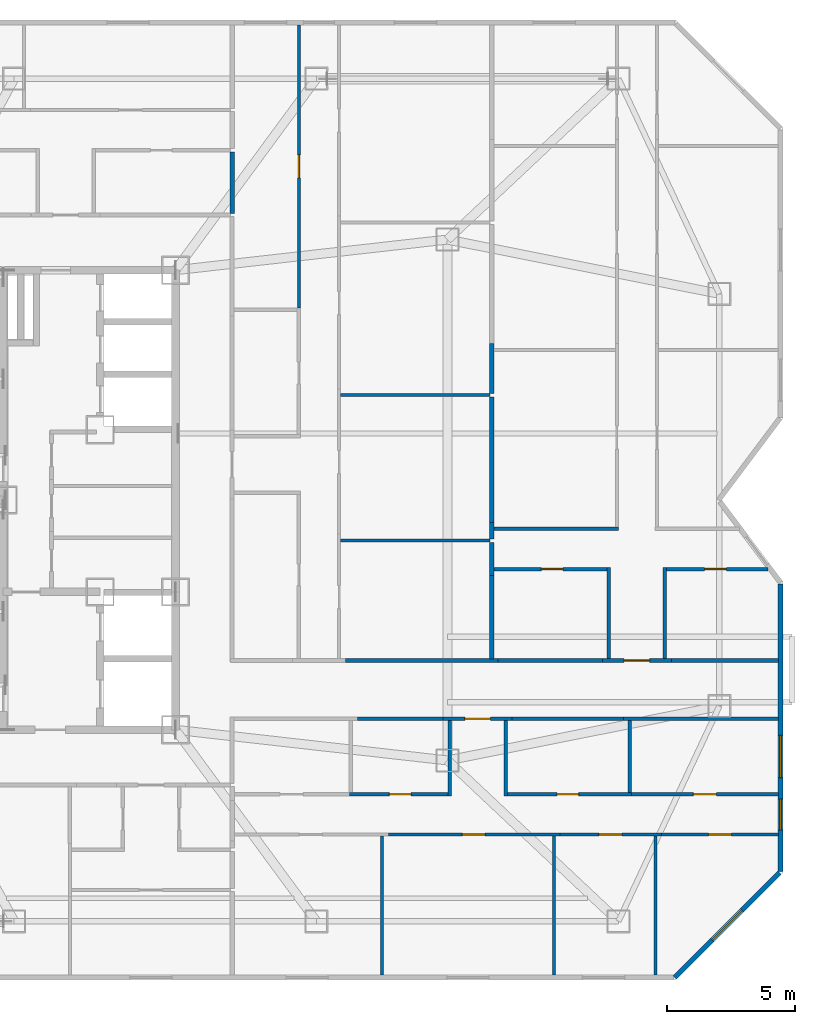
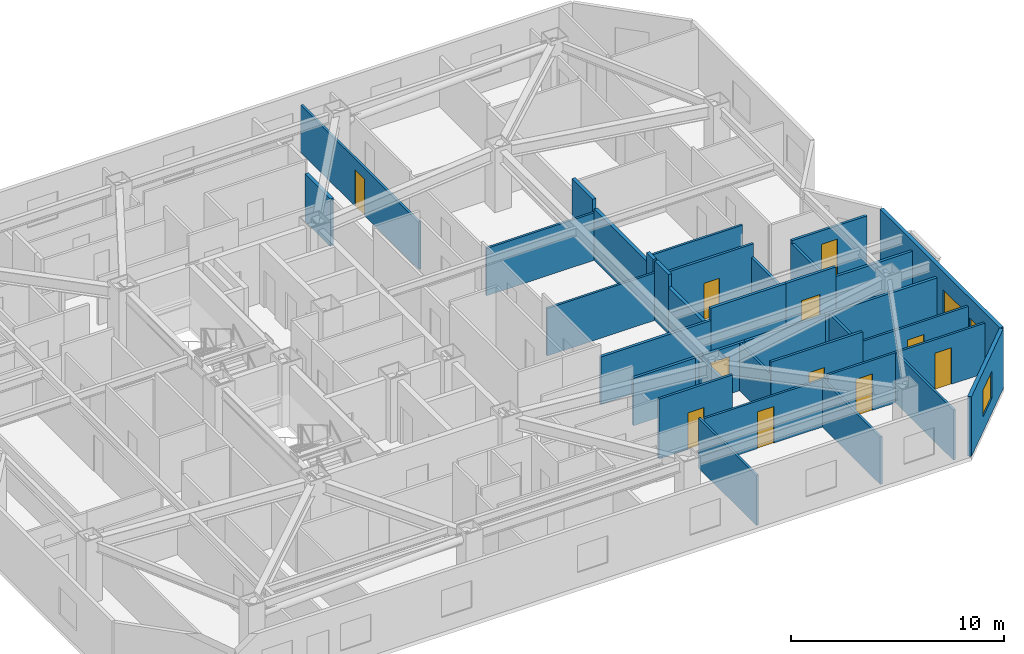
# One storey, part 9 of 12: 36 walls, 11 doors, 3 windows, 14 openings.
"""IFC4 building model written with IfcOpenShell, lengths in metres."""

from ifc_helpers import new_model, si_unit, direction, frame, frame_2d, origin, place, context, subcontext, project, spatial, rectangle, extrude, material, layer, layer_set, type_object, element, fill, save


model = new_model("IFC4")

# Units and contexts
model_context = context("Model", 3, precision=1e-05, world=origin(), true_north=direction((0.0, 1.0)))
body_context = subcontext(model_context, "Body", "Model", "MODEL_VIEW")
ifc_project = project(units=[si_unit("LENGTHUNIT", "METRE"), si_unit("AREAUNIT", "SQUARE_METRE"), si_unit("VOLUMEUNIT", "CUBIC_METRE"), si_unit("PLANEANGLEUNIT", "RADIAN"), si_unit("MASSUNIT", "GRAM", prefix="KILO")], contexts=[model_context])

# Site, building, storey
site_placement = place(None, origin())
site = spatial("IfcSite", under=ifc_project, at=site_placement, CompositionType="ELEMENT")
building_placement = place(site_placement, origin())
building = spatial("IfcBuilding", under=site, at=building_placement, Name="Khamvora Tower", CompositionType="ELEMENT")
storey_placement = place(building_placement, frame((0.0, 0.0, 188.75)))
storey = spatial("IfcBuildingStorey", under=building, at=storey_placement, Name="L48", CompositionType="ELEMENT", Elevation=188.75)

# Wall
ifc_material_1 = material(Name="Fire-Rated Drywall and Steel Stud", Category="steel")
ifc_layer_1 = layer(ifc_material_1, 0.14990234375)
ifc_layer_set_1 = layer_set([ifc_layer_1], Name="Fire-Rated Drywall and Steel Stud")
wall_type_1 = type_object("IfcWallType", Name="WAL-CORR-150", PredefinedType="STANDARD", material=ifc_layer_set_1)
wall_1_placement = place(storey_placement, frame((63.008056640625, 19.43505859375, 0.0), z_axis=(0.0, 0.0, 1.0), x_axis=(-1.0, 0.0, 0.0)))
element("IfcWall", 1, at=wall_1_placement, inside=storey, type_object=wall_type_1, Name="L48 interior partition wall 030", PredefinedType="STANDARD", context=body_context, shape_type="SweptSolid", body=[
    extrude(rectangle(XDim=6.05712890625, YDim=0.14990234375, at=frame_2d((3.028564453125, 0.0))), origin(), (0.0, 0.0, 1.0), 2.72509765625),
])

# Wall, opening, door
wall_2_placement = place(storey_placement, frame((52.583984375, 19.43505859375, 0.0), z_axis=(0.0, 0.0, 1.0), x_axis=(-1.0, 0.0, 0.0)))
wall_2 = element("IfcWall", 2, at=wall_2_placement, inside=storey, type_object=wall_type_1, Name="L48 interior partition wall 031", PredefinedType="STANDARD", context=body_context, shape_type="SweptSolid", body=[
    extrude(rectangle(XDim=2.697998046875, YDim=0.14990234375, at=frame_2d((1.34912109375, 0.0))), origin(), (0.0, 0.0, 1.0), 2.72509765625),
])
opening_1_placement = place(wall_2_placement, frame((0.84912109375, 0.0, 0.0)))
opening_1 = element("IfcOpeningElement", 3, at=opening_1_placement, cuts=wall_2, Name="Opening D-U1", PredefinedType="OPENING", context=body_context, shape_type="SweptSolid", body=[
    extrude(rectangle(XDim=1.0, YDim=2.14990234375, at=frame_2d((0.5, 1.074951171875))), frame((0.0, 0.0849609375, 0.0), z_axis=(0.0, -1.0, 0.0), x_axis=(1.0, 0.0, 0.0)), (0.0, 0.0, 1.0), 0.169921875),
])
ifc_material_2 = material(Name="Powder-Coated Steel and Hardwood Leaf", Category="steel")
door_type_1 = type_object("IfcDoorType", Name="DOR-UNIT-1000", OperationType="NOTDEFINED", PredefinedType="DOOR", material=ifc_material_2)
door_1_placement = place(opening_1_placement, origin())
door_1 = element("IfcDoor", 4, at=door_1_placement, inside=storey, type_object=door_type_1, Name="L48 interior door COR-48EAH", OperationType="SINGLE_SWING_RIGHT", OverallHeight=2.14990234375, OverallWidth=1.0, PredefinedType="DOOR", context=body_context, shape_type="SweptSolid", body=[
    extrude(rectangle(XDim=1.0, YDim=2.14990234375, at=frame_2d((0.5, 1.074951171875))), frame((0.0, 0.02490234375, 0.0), z_axis=(0.0, -1.0, 0.0), x_axis=(1.0, 0.0, 0.0)), (0.0, 0.0, 1.0), 0.050048828125),
])
fill(opening_1, door_1)

# Walls
wall_3_placement = place(storey_placement, frame((49.885986328125, 19.43505859375, 0.0), z_axis=(0.0, 0.0, 1.0), x_axis=(-1.0, 0.0, 0.0)))
element("IfcWall", 5, at=wall_3_placement, inside=storey, type_object=wall_type_1, Name="L48 interior partition wall 032", PredefinedType="STANDARD", context=body_context, shape_type="SweptSolid", body=[
    extrude(rectangle(XDim=3.366943359375, YDim=0.14990234375, at=frame_2d((1.68359375, 0.0))), origin(), (0.0, 0.0, 1.0), 2.72509765625),
])
wall_4_placement = place(storey_placement, frame((56.950927734375, 19.43505859375, 0.0), z_axis=(0.0, 0.0, 1.0), x_axis=(-1.0, 0.0, 0.0)))
element("IfcWall", 6, at=wall_4_placement, inside=storey, type_object=wall_type_1, Name="L48 interior partition wall 033", PredefinedType="STANDARD", context=body_context, shape_type="SweptSolid", body=[
    extrude(rectangle(XDim=4.366943359375, YDim=0.14990234375, at=frame_2d((2.18359375, 0.0))), origin(), (0.0, 0.0, 1.0), 2.72509765625),
])
wall_5_placement = place(storey_placement, frame((46.06103515625, 21.715087890625, 0.0), z_axis=(0.0, 0.0, 1.0), x_axis=(1.0, 0.0, 0.0)))
element("IfcWall", 7, at=wall_5_placement, inside=storey, type_object=wall_type_1, Name="L48 interior partition wall 040", PredefinedType="STANDARD", context=body_context, shape_type="SweptSolid", body=[
    extrude(rectangle(XDim=5.972900390625, YDim=0.14990234375, at=frame_2d((2.986328125, 0.0))), origin(), (0.0, 0.0, 1.0), 2.72509765625),
])

# Wall, opening, door
wall_6_placement = place(storey_placement, frame((56.12109375, 21.715087890625, 0.0), z_axis=(0.0, 0.0, 1.0), x_axis=(1.0, 0.0, 0.0)))
wall_6 = element("IfcWall", 8, at=wall_6_placement, inside=storey, type_object=wall_type_1, Name="L48 interior partition wall 041", PredefinedType="STANDARD", context=body_context, shape_type="SweptSolid", body=[
    extrude(rectangle(XDim=2.697998046875, YDim=0.14990234375, at=frame_2d((1.34912109375, 0.0))), origin(), (0.0, 0.0, 1.0), 3.429931640625),
])
opening_2_placement = place(wall_6_placement, frame((0.84912109375, 0.0, 0.0)))
opening_2 = element("IfcOpeningElement", 9, at=opening_2_placement, cuts=wall_6, Name="Opening D-U1", PredefinedType="OPENING", context=body_context, shape_type="SweptSolid", body=[
    extrude(rectangle(XDim=1.0, YDim=2.14990234375, at=frame_2d((0.5, 1.074951171875))), frame((0.0, 0.0849609375, 0.0), z_axis=(0.0, -1.0, 0.0), x_axis=(1.0, 0.0, 0.0)), (0.0, 0.0, 1.0), 0.169921875),
])
door_2_placement = place(opening_2_placement, origin())
door_2 = element("IfcDoor", 10, at=door_2_placement, inside=storey, type_object=door_type_1, Name="L48 interior door COR-48ECH", OperationType="SINGLE_SWING_RIGHT", OverallHeight=2.14990234375, OverallWidth=1.0, PredefinedType="DOOR", context=body_context, shape_type="SweptSolid", body=[
    extrude(rectangle(XDim=1.0, YDim=2.14990234375, at=frame_2d((0.5, 1.074951171875))), frame((0.0, 0.02490234375, 0.0), z_axis=(0.0, -1.0, 0.0), x_axis=(1.0, 0.0, 0.0)), (0.0, 0.0, 1.0), 0.050048828125),
])
fill(opening_2, door_2)

# Walls
wall_7_placement = place(storey_placement, frame((58.819091796875, 21.715087890625, 0.0), z_axis=(0.0, 0.0, 1.0), x_axis=(1.0, 0.0, 0.0)))
element("IfcWall", 11, at=wall_7_placement, inside=storey, type_object=wall_type_1, Name="L48 interior partition wall 042", PredefinedType="STANDARD", context=body_context, shape_type="SweptSolid", body=[
    extrude(rectangle(XDim=4.18896484375, YDim=0.14990234375, at=frame_2d((2.094482421875, 0.0))), origin(), (0.0, 0.0, 1.0), 2.8759765625),
])
wall_8_placement = place(storey_placement, frame((52.033935546875, 21.715087890625, 0.0), z_axis=(0.0, 0.0, 1.0), x_axis=(1.0, 0.0, 0.0)))
element("IfcWall", 12, at=wall_8_placement, inside=storey, type_object=wall_type_1, Name="L48 interior partition wall 043", PredefinedType="STANDARD", context=body_context, shape_type="SweptSolid", body=[
    extrude(rectangle(XDim=4.087158203125, YDim=0.14990234375, at=frame_2d((2.04345703125, 0.0))), origin(), (0.0, 0.0, 1.0), 3.429931640625),
])
ifc_material_3 = material(Name="Acoustic Double-Stud Fire Wall", Category="gypsum")
ifc_layer_2 = layer(ifc_material_3, 0.179931640625)
ifc_layer_set_2 = layer_set([ifc_layer_2], Name="Acoustic Double-Stud Fire Wall")
wall_type_2 = type_object("IfcWallType", Name="WAL-CORR-180", PredefinedType="STANDARD", material=ifc_layer_set_2)
wall_9_placement = place(storey_placement, frame((41.614990234375, 41.6298828125, 0.0), z_axis=(0.0, 0.0, 1.0), x_axis=(0.0, -1.0, 0.0)))
element("IfcWall", 13, at=wall_9_placement, inside=storey, type_object=wall_type_2, Name="L48 interior partition wall 100", PredefinedType="STANDARD", context=body_context, shape_type="SweptSolid", body=[
    extrude(rectangle(XDim=2.39990234375, YDim=0.179931640625, at=frame_2d((1.199951171875, 0.0))), origin(), (0.0, 0.0, 1.0), 2.72509765625),
])
wall_10_placement = place(storey_placement, frame((51.784912109375, 26.344970703125, 0.0), z_axis=(0.0, 0.0, 1.0), x_axis=(0.0, -1.0, 0.0)))
element("IfcWall", 14, at=wall_10_placement, inside=storey, type_object=wall_type_2, Name="L48 interior partition wall 129", PredefinedType="STANDARD", context=body_context, shape_type="SweptSolid", body=[
    extrude(rectangle(XDim=1.299072265625, YDim=0.179931640625, at=frame_2d((0.6494140625, 0.0))), origin(), (0.0, 0.0, 1.0), 3.429931640625),
])
wall_11_placement = place(storey_placement, frame((51.784912109375, 25.0458984375, 0.0), z_axis=(0.0, 0.0, 1.0), x_axis=(0.0, -1.0, 0.0)))
element("IfcWall", 15, at=wall_11_placement, inside=storey, type_object=wall_type_2, Name="L48 interior partition wall 130", PredefinedType="STANDARD", context=body_context, shape_type="SweptSolid", body=[
    extrude(rectangle(XDim=3.265869140625, YDim=0.179931640625, at=frame_2d((1.6328125, 0.0))), origin(), (0.0, 0.0, 1.0), 2.68701171875),
])
wall_12_placement = place(storey_placement, frame((51.784912109375, 27.1240234375, 0.0), z_axis=(0.0, 0.0, 1.0), x_axis=(0.0, -1.0, 0.0)))
element("IfcWall", 16, at=wall_12_placement, inside=storey, type_object=wall_type_2, Name="L48 interior partition wall 132", PredefinedType="STANDARD", context=body_context, shape_type="SweptSolid", body=[
    extrude(rectangle(XDim=0.64892578125, YDim=0.179931640625, at=frame_2d((0.324462890625, 0.0))), origin(), (0.0, 0.0, 1.0), 3.429931640625),
])
wall_13_placement = place(storey_placement, frame((51.784912109375, 32.0400390625, 0.0), z_axis=(0.0, 0.0, 1.0), x_axis=(0.0, -1.0, 0.0)))
element("IfcWall", 17, at=wall_13_placement, inside=storey, type_object=wall_type_2, Name="L48 interior partition wall 133", PredefinedType="STANDARD", context=body_context, shape_type="SweptSolid", body=[
    extrude(rectangle(XDim=4.916015625, YDim=0.179931640625, at=frame_2d((2.4580078125, 0.0))), origin(), (0.0, 0.0, 1.0), 2.95703125),
])
wall_14_placement = place(storey_placement, frame((51.784912109375, 34.1259765625, 0.0), z_axis=(0.0, 0.0, 1.0), x_axis=(0.0, -1.0, 0.0)))
element("IfcWall", 18, at=wall_14_placement, inside=storey, type_object=wall_type_2, Name="L48 interior partition wall 135", PredefinedType="STANDARD", context=body_context, shape_type="SweptSolid", body=[
    extrude(rectangle(XDim=1.9560546875, YDim=0.179931640625, at=frame_2d((0.97802734375, 0.0))), origin(), (0.0, 0.0, 1.0), 3.429931640625),
])

# Wall, openings, windows
ifc_material_4 = material(Name="Precast concrete C40/50", Category="concrete")
ifc_layer_3 = layer(ifc_material_4, 0.199951171875)
ifc_layer_set_3 = layer_set([ifc_layer_3], Name="Precast concrete C40/50")
wall_type_3 = type_object("IfcWallType", Name="WAL-EXT-200", PredefinedType="STANDARD", material=ifc_layer_set_3)
wall_15_placement = place(storey_placement, frame((63.10009765625, 24.717041015625, 0.0), z_axis=(0.0, 0.0, 1.0), x_axis=(0.0, -1.0, 0.0)))
wall_15 = element("IfcWall", 19, at=wall_15_placement, inside=storey, type_object=wall_type_3, Name="L48 exterior facade wall 12.1", PredefinedType="STANDARD", context=body_context, shape_type="SweptSolid", body=[
    extrude(rectangle(XDim=11.276123046875, YDim=0.199951171875, at=frame_2d((5.63818359375, 0.0))), origin(), (0.0, 0.0, 1.0), 3.429931640625),
])
opening_3_placement = place(wall_15_placement, frame((5.93701171875, 0.0, 0.85009765625)))
opening_3 = element("IfcOpeningElement", 20, at=opening_3_placement, cuts=wall_15, Name="Opening WN-06", PredefinedType="OPENING", context=body_context, shape_type="SweptSolid", body=[
    extrude(rectangle(XDim=1.64990234375, YDim=1.550048828125, at=frame_2d((0.824951171875, 0.77490234375))), frame((0.0, 0.10986328125, 0.0), z_axis=(0.0, -1.0, 0.0), x_axis=(1.0, 0.0, 0.0)), (0.0, 0.0, 1.0), 0.219970703125),
])
opening_4_placement = place(wall_15_placement, frame((8.43310546875, 0.0, 0.800048828125)))
opening_4 = element("IfcOpeningElement", 21, at=opening_4_placement, cuts=wall_15, Name="Opening WN-03", PredefinedType="OPENING", context=body_context, shape_type="SweptSolid", body=[
    extrude(rectangle(XDim=1.199951171875, YDim=1.5, at=frame_2d((0.60009765625, 0.75))), frame((0.0, 0.10986328125, 0.0), z_axis=(0.0, -1.0, 0.0), x_axis=(1.0, 0.0, 0.0)), (0.0, 0.0, 1.0), 0.219970703125),
])
ifc_material_5 = material(Name="Low-E Laminated Double Glazing", Category="glass")
window_type_1 = type_object("IfcWindowType", Name="WIN-VIS-1200x1500", PartitioningType="SINGLE_PANEL", PredefinedType="WINDOW", material=ifc_material_5)
window_1_placement = place(opening_4_placement, origin())
window_1 = element("IfcWindow", 22, at=window_1_placement, inside=storey, type_object=window_type_1, Name="L48 vision window 12.1.02", OverallHeight=1.5, OverallWidth=1.199951171875, PartitioningType="SINGLE_PANEL", PredefinedType="WINDOW", context=body_context, shape_type="SweptSolid", body=[
    extrude(rectangle(XDim=1.199951171875, YDim=1.5, at=frame_2d((0.60009765625, 0.75))), frame((0.0, 0.030029296875, 0.0), z_axis=(0.0, -1.0, 0.0), x_axis=(1.0, 0.0, 0.0)), (0.0, 0.0, 1.0), 0.06005859375),
])
fill(opening_4, window_1)
window_type_2 = type_object("IfcWindowType", Name="WIN-VIS-1650x1550", PartitioningType="SINGLE_PANEL", PredefinedType="WINDOW", material=ifc_material_5)
window_2_placement = place(opening_3_placement, origin())
window_2 = element("IfcWindow", 23, at=window_2_placement, inside=storey, type_object=window_type_2, Name="L48 vision window 12.1.01", OverallHeight=1.550048828125, OverallWidth=1.64990234375, PartitioningType="SINGLE_PANEL", PredefinedType="WINDOW", context=body_context, shape_type="SweptSolid", body=[
    extrude(rectangle(XDim=1.64990234375, YDim=1.550048828125, at=frame_2d((0.824951171875, 0.77490234375))), frame((0.0, 0.030029296875, 0.0), z_axis=(0.0, -1.0, 0.0), x_axis=(1.0, 0.0, 0.0)), (0.0, 0.0, 1.0), 0.06005859375),
])
fill(opening_3, window_2)

# Wall, opening, window
wall_16_placement = place(storey_placement, frame((63.056884765625, 13.39794921875, 0.0), z_axis=(0.0, 0.0, 1.0), x_axis=(-0.707106781187, -0.707106781187, 0.0)))
wall_16 = element("IfcWall", 24, at=wall_16_placement, inside=storey, type_object=wall_type_3, Name="L48 exterior facade wall 13.1", PredefinedType="STANDARD", context=body_context, shape_type="SweptSolid", body=[
    extrude(rectangle(XDim=5.79541015625, YDim=0.199951171875, at=frame_2d((2.897705078125, 0.0))), origin(), (0.0, 0.0, 1.0), 3.429931640625),
])
opening_5_placement = place(wall_16_placement, frame((2.072998046875, 0.0, 0.85009765625)))
opening_5 = element("IfcOpeningElement", 25, at=opening_5_placement, cuts=wall_16, Name="Opening WN-06", PredefinedType="OPENING", context=body_context, shape_type="SweptSolid", body=[
    extrude(rectangle(XDim=1.64990234375, YDim=1.550048828125, at=frame_2d((0.824951171875, 0.77490234375))), frame((0.0, 0.10986328125, 0.0), z_axis=(0.0, -1.0, 0.0), x_axis=(1.0, 0.0, 0.0)), (0.0, 0.0, 1.0), 0.219970703125),
])
window_3_placement = place(opening_5_placement, origin())
window_3 = element("IfcWindow", 26, at=window_3_placement, inside=storey, type_object=window_type_2, Name="L48 vision window 13.1.01", OverallHeight=1.550048828125, OverallWidth=1.64990234375, PartitioningType="SINGLE_PANEL", PredefinedType="WINDOW", context=body_context, shape_type="SweptSolid", body=[
    extrude(rectangle(XDim=1.64990234375, YDim=1.550048828125, at=frame_2d((0.824951171875, 0.77490234375))), frame((0.0, 0.030029296875, 0.0), z_axis=(0.0, -1.0, 0.0), x_axis=(1.0, 0.0, 0.0)), (0.0, 0.0, 1.0), 0.06005859375),
])
fill(opening_5, window_3)

# Wall, opening, door
ifc_material_6 = material(Name="Gypsum Plasterboard Partition", Category="gypsum")
ifc_layer_4 = layer(ifc_material_6, 0.1201171875)
ifc_layer_set_4 = layer_set([ifc_layer_4], Name="Gypsum Plasterboard Partition")
wall_type_4 = type_object("IfcWallType", Name="WAL-PART-120", PredefinedType="PARTITIONING", material=ifc_layer_set_4)
wall_17_placement = place(storey_placement, frame((63.008056640625, 16.47412109375, 0.0), z_axis=(0.0, 0.0, 1.0), x_axis=(-1.0, 0.0, 0.0)))
wall_17 = element("IfcWall", 27, at=wall_17_placement, inside=storey, type_object=wall_type_4, Name="L48 interior partition wall 105", PredefinedType="PARTITIONING", context=body_context, shape_type="SweptSolid", body=[
    extrude(rectangle(XDim=5.7431640625, YDim=0.1201171875, at=frame_2d((2.87158203125, 0.0))), origin(), (0.0, 0.0, 1.0), 2.8759765625),
])
opening_6_placement = place(wall_17_placement, frame((2.4208984375, 0.0, 0.0)))
opening_6 = element("IfcOpeningElement", 28, at=opening_6_placement, cuts=wall_17, Name="Opening D-RM1", PredefinedType="OPENING", context=body_context, shape_type="SweptSolid", body=[
    extrude(rectangle(XDim=0.89990234375, YDim=2.10009765625, at=frame_2d((0.449951171875, 1.050048828125))), frame((0.0, 0.070068359375, 0.0), z_axis=(0.0, -1.0, 0.0), x_axis=(1.0, 0.0, 0.0)), (0.0, 0.0, 1.0), 0.14013671875),
])
door_type_2 = type_object("IfcDoorType", Name="DOR-ROOM-900", OperationType="NOTDEFINED", PredefinedType="DOOR", material=ifc_material_2)
door_3_placement = place(opening_6_placement, origin())
door_3 = element("IfcDoor", 29, at=door_3_placement, inside=storey, type_object=door_type_2, Name="L48 interior door 48EAW2-48EAH", OperationType="SINGLE_SWING_LEFT", OverallHeight=2.10009765625, OverallWidth=0.89990234375, PredefinedType="DOOR", context=body_context, shape_type="SweptSolid", body=[
    extrude(rectangle(XDim=0.89990234375, YDim=2.10009765625, at=frame_2d((0.449951171875, 1.050048828125))), frame((0.0, 0.02490234375, 0.0), z_axis=(0.0, -1.0, 0.0), x_axis=(1.0, 0.0, 0.0)), (0.0, 0.0, 1.0), 0.050048828125),
])
fill(opening_6, door_3)

wall_18_placement = place(storey_placement, frame((54.465087890625, 14.89404296875, 0.0), z_axis=(0.0, 0.0, 1.0), x_axis=(-1.0, 0.0, 0.0)))
wall_18 = element("IfcWall", 30, at=wall_18_placement, inside=storey, type_object=wall_type_4, Name="L48 interior partition wall 112", PredefinedType="PARTITIONING", context=body_context, shape_type="SweptSolid", body=[
    extrude(rectangle(XDim=6.72607421875, YDim=0.1201171875, at=frame_2d((3.363037109375, 0.0))), origin(), (0.0, 0.0, 1.0), 2.72509765625),
])
opening_7_placement = place(wall_18_placement, frame((2.93408203125, 0.0, 0.0)))
opening_7 = element("IfcOpeningElement", 31, at=opening_7_placement, cuts=wall_18, Name="Opening D-RM1", PredefinedType="OPENING", context=body_context, shape_type="SweptSolid", body=[
    extrude(rectangle(XDim=0.89990234375, YDim=2.10009765625, at=frame_2d((0.449951171875, 1.050048828125))), frame((0.0, 0.070068359375, 0.0), z_axis=(0.0, -1.0, 0.0), x_axis=(1.0, 0.0, 0.0)), (0.0, 0.0, 1.0), 0.14013671875),
])
door_4_placement = place(opening_7_placement, origin())
door_4 = element("IfcDoor", 32, at=door_4_placement, inside=storey, type_object=door_type_2, Name="L48 interior door 48EAH-48EAR2", OperationType="SINGLE_SWING_LEFT", OverallHeight=2.10009765625, OverallWidth=0.89990234375, PredefinedType="DOOR", context=body_context, shape_type="SweptSolid", body=[
    extrude(rectangle(XDim=0.89990234375, YDim=2.10009765625, at=frame_2d((0.449951171875, 1.050048828125))), frame((0.0, 0.02490234375, 0.0), z_axis=(0.0, -1.0, 0.0), x_axis=(1.0, 0.0, 0.0)), (0.0, 0.0, 1.0), 0.050048828125),
])
fill(opening_7, door_4)

wall_19_placement = place(storey_placement, frame((58.444091796875, 14.89404296875, 0.0), z_axis=(0.0, 0.0, 1.0), x_axis=(-1.0, 0.0, 0.0)))
wall_19 = element("IfcWall", 33, at=wall_19_placement, inside=storey, type_object=wall_type_4, Name="L48 interior partition wall 113", PredefinedType="PARTITIONING", context=body_context, shape_type="SweptSolid", body=[
    extrude(rectangle(XDim=3.97900390625, YDim=0.1201171875, at=frame_2d((1.989501953125, 0.0))), origin(), (0.0, 0.0, 1.0), 2.8759765625),
])
opening_8_placement = place(wall_19_placement, frame((1.56005859375, 0.0, 0.0)))
opening_8 = element("IfcOpeningElement", 34, at=opening_8_placement, cuts=wall_19, Name="Opening D-RM1", PredefinedType="OPENING", context=body_context, shape_type="SweptSolid", body=[
    extrude(rectangle(XDim=0.89990234375, YDim=2.10009765625, at=frame_2d((0.449951171875, 1.050048828125))), frame((0.0, 0.070068359375, 0.0), z_axis=(0.0, -1.0, 0.0), x_axis=(1.0, 0.0, 0.0)), (0.0, 0.0, 1.0), 0.14013671875),
])
door_5_placement = place(opening_8_placement, origin())
door_5 = element("IfcDoor", 35, at=door_5_placement, inside=storey, type_object=door_type_2, Name="L48 interior door 48EAH-48EAR3", OperationType="SINGLE_SWING_RIGHT", OverallHeight=2.10009765625, OverallWidth=0.89990234375, PredefinedType="DOOR", context=body_context, shape_type="SweptSolid", body=[
    extrude(rectangle(XDim=0.89990234375, YDim=2.10009765625, at=frame_2d((0.449951171875, 1.050048828125))), frame((0.0, 0.02490234375, 0.0), z_axis=(0.0, -1.0, 0.0), x_axis=(1.0, 0.0, 0.0)), (0.0, 0.0, 1.0), 0.050048828125),
])
fill(opening_8, door_5)

wall_20_placement = place(storey_placement, frame((63.008056640625, 14.89404296875, 0.0), z_axis=(0.0, 0.0, 1.0), x_axis=(-1.0, 0.0, 0.0)))
wall_20 = element("IfcWall", 36, at=wall_20_placement, inside=storey, type_object=wall_type_4, Name="L48 interior partition wall 114", PredefinedType="PARTITIONING", context=body_context, shape_type="SweptSolid", body=[
    extrude(rectangle(XDim=4.56396484375, YDim=0.1201171875, at=frame_2d((2.281982421875, 0.0))), origin(), (0.0, 0.0, 1.0), 2.8759765625),
])
opening_9_placement = place(wall_20_placement, frame((1.83203125, 0.0, 0.0)))
opening_9 = element("IfcOpeningElement", 37, at=opening_9_placement, cuts=wall_20, Name="Opening D-RM1", PredefinedType="OPENING", context=body_context, shape_type="SweptSolid", body=[
    extrude(rectangle(XDim=0.89990234375, YDim=2.10009765625, at=frame_2d((0.449951171875, 1.050048828125))), frame((0.0, 0.070068359375, 0.0), z_axis=(0.0, -1.0, 0.0), x_axis=(1.0, 0.0, 0.0)), (0.0, 0.0, 1.0), 0.14013671875),
])
door_6_placement = place(opening_9_placement, origin())
door_6 = element("IfcDoor", 38, at=door_6_placement, inside=storey, type_object=door_type_2, Name="L48 interior door 48EAH-48EAR4", OperationType="SINGLE_SWING_LEFT", OverallHeight=2.10009765625, OverallWidth=0.89990234375, PredefinedType="DOOR", context=body_context, shape_type="SweptSolid", body=[
    extrude(rectangle(XDim=0.89990234375, YDim=2.10009765625, at=frame_2d((0.449951171875, 1.050048828125))), frame((0.0, 0.02490234375, 0.0), z_axis=(0.0, -1.0, 0.0), x_axis=(1.0, 0.0, 0.0)), (0.0, 0.0, 1.0), 0.050048828125),
])
fill(opening_9, door_6)

# Walls
wall_21_placement = place(storey_placement, frame((47.489990234375, 14.840087890625, 0.0), z_axis=(0.0, 0.0, 1.0), x_axis=(0.0, -1.0, 0.0)))
element("IfcWall", 39, at=wall_21_placement, inside=storey, type_object=wall_type_4, Name="L48 interior partition wall 115", PredefinedType="PARTITIONING", context=body_context, shape_type="SweptSolid", body=[
    extrude(rectangle(XDim=5.447998046875, YDim=0.1201171875, at=frame_2d((2.72412109375, 0.0))), origin(), (0.0, 0.0, 1.0), 2.8759765625),
])
wall_22_placement = place(storey_placement, frame((54.216064453125, 14.840087890625, 0.0), z_axis=(0.0, 0.0, 1.0), x_axis=(0.0, -1.0, 0.0)))
element("IfcWall", 40, at=wall_22_placement, inside=storey, type_object=wall_type_4, Name="L48 interior partition wall 116", PredefinedType="PARTITIONING", context=body_context, shape_type="SweptSolid", body=[
    extrude(rectangle(XDim=5.447998046875, YDim=0.1201171875, at=frame_2d((2.72412109375, 0.0))), origin(), (0.0, 0.0, 1.0), 2.72509765625),
])
wall_23_placement = place(storey_placement, frame((58.195068359375, 14.840087890625, 0.0), z_axis=(0.0, 0.0, 1.0), x_axis=(0.0, -1.0, 0.0)))
element("IfcWall", 41, at=wall_23_placement, inside=storey, type_object=wall_type_4, Name="L48 interior partition wall 117", PredefinedType="PARTITIONING", context=body_context, shape_type="SweptSolid", body=[
    extrude(rectangle(XDim=5.447998046875, YDim=0.1201171875, at=frame_2d((2.72412109375, 0.0))), origin(), (0.0, 0.0, 1.0), 2.8759765625),
])

# Wall, opening, door
wall_24_placement = place(storey_placement, frame((44.23193359375, 46.60791015625, 0.0), z_axis=(0.0, 0.0, 1.0), x_axis=(0.0, -1.0, 0.0)))
wall_24 = element("IfcWall", 42, at=wall_24_placement, inside=storey, type_object=wall_type_4, Name="L48 interior partition wall 118", PredefinedType="PARTITIONING", context=body_context, shape_type="SweptSolid", body=[
    extrude(rectangle(XDim=11.0869140625, YDim=0.1201171875, at=frame_2d((5.54345703125, 0.0))), origin(), (0.0, 0.0, 1.0), 2.72509765625),
])
opening_10_placement = place(wall_24_placement, frame((5.093017578125, 0.0, 0.0)))
opening_10 = element("IfcOpeningElement", 43, at=opening_10_placement, cuts=wall_24, Name="Opening D-RM1", PredefinedType="OPENING", context=body_context, shape_type="SweptSolid", body=[
    extrude(rectangle(XDim=0.89990234375, YDim=2.10009765625, at=frame_2d((0.449951171875, 1.050048828125))), frame((0.0, 0.070068359375, 0.0), z_axis=(0.0, -1.0, 0.0), x_axis=(1.0, 0.0, 0.0)), (0.0, 0.0, 1.0), 0.14013671875),
])
door_7_placement = place(opening_10_placement, origin())
door_7 = element("IfcDoor", 44, at=door_7_placement, inside=storey, type_object=door_type_2, Name="L48 interior door 48EBW2-48EBH", OperationType="SINGLE_SWING_RIGHT", OverallHeight=2.10009765625, OverallWidth=0.89990234375, PredefinedType="DOOR", context=body_context, shape_type="SweptSolid", body=[
    extrude(rectangle(XDim=0.89990234375, YDim=2.10009765625, at=frame_2d((0.449951171875, 1.050048828125))), frame((0.0, 0.02490234375, 0.0), z_axis=(0.0, -1.0, 0.0), x_axis=(1.0, 0.0, 0.0)), (0.0, 0.0, 1.0), 0.050048828125),
])
fill(opening_10, door_7)

# Walls
for number, where, z_axis, x_axis, name in (
    (45, (45.865966796875, 26.409912109375, 0.0), (0.0, 0.0, 1.0), (1.0, 0.0, 0.0), "L48 interior partition wall 128"),
    (46, (45.865966796875, 32.10498046875, 0.0), (0.0, 0.0, 1.0), (1.0, 0.0, 0.0), "L48 interior partition wall 131"),
):
    element("IfcWall", number, at=place(storey_placement, frame(where, z_axis=z_axis, x_axis=x_axis)), inside=storey, type_object=wall_type_4, Name=name, PredefinedType="PARTITIONING", context=body_context, shape_type="SweptSolid", body=[
        extrude(rectangle(XDim=5.85400390625, YDim=0.1201171875, at=frame_2d((2.927001953125, 0.0))), origin(), (0.0, 0.0, 1.0), 2.72509765625),
    ])
wall_25_placement = place(storey_placement, frame((51.866943359375, 26.875, 0.0), z_axis=(0.0, 0.0, 1.0), x_axis=(1.0, 0.0, 0.0)))
element("IfcWall", 47, at=wall_25_placement, inside=storey, type_object=wall_type_4, Name="L48 interior partition wall 143", PredefinedType="PARTITIONING", context=body_context, shape_type="SweptSolid", body=[
    extrude(rectangle(XDim=4.883056640625, YDim=0.1201171875, at=frame_2d((2.44140625, 0.0))), origin(), (0.0, 0.0, 1.0), 3.429931640625),
])
ifc_material_7 = material(Name="Moisture-Resistant Plasterboard Partition", Category="gypsum")
ifc_layer_5 = layer(ifc_material_7, 0.135009765625)
ifc_layer_set_5 = layer_set([ifc_layer_5], Name="Moisture-Resistant Plasterboard Partition")
wall_type_5 = type_object("IfcWallType", Name="WAL-WET-135", PredefinedType="PARTITIONING", material=ifc_layer_set_5)
wall_26_placement = place(storey_placement, frame((57.199951171875, 16.5390625, 0.0), z_axis=(0.0, 0.0, 1.0), x_axis=(0.0, 1.0, 0.0)))
element("IfcWall", 48, at=wall_26_placement, inside=storey, type_object=wall_type_5, Name="L48 interior partition wall 106", PredefinedType="PARTITIONING", context=body_context, shape_type="SweptSolid", body=[
    extrude(rectangle(XDim=2.828857421875, YDim=0.135009765625, at=frame_2d((1.41455078125, 0.0))), origin(), (0.0, 0.0, 1.0), 2.72509765625),
])

# Wall, opening, door
wall_27_placement = place(storey_placement, frame((46.205078125, 16.47412109375, 0.0), z_axis=(0.0, 0.0, 1.0), x_axis=(1.0, 0.0, 0.0)))
wall_27 = element("IfcWall", 49, at=wall_27_placement, inside=storey, type_object=wall_type_5, Name="L48 interior partition wall 107", PredefinedType="PARTITIONING", context=body_context, shape_type="SweptSolid", body=[
    extrude(rectangle(XDim=3.994873046875, YDim=0.135009765625, at=frame_2d((1.99755859375, 0.0))), origin(), (0.0, 0.0, 1.0), 3.429931640625),
])
opening_11_placement = place(wall_27_placement, frame((1.572998046875, 0.0, 0.0)))
opening_11 = element("IfcOpeningElement", 50, at=opening_11_placement, cuts=wall_27, Name="Opening D-WC1", PredefinedType="OPENING", context=body_context, shape_type="SweptSolid", body=[
    extrude(rectangle(XDim=0.85009765625, YDim=2.10009765625, at=frame_2d((0.425048828125, 1.050048828125))), frame((0.0, 0.077392578125, 0.0), z_axis=(0.0, -1.0, 0.0), x_axis=(1.0, 0.0, 0.0)), (0.0, 0.0, 1.0), 0.155029296875),
])
door_type_3 = type_object("IfcDoorType", Name="DOR-WET-850", OperationType="NOTDEFINED", PredefinedType="DOOR", material=ifc_material_2)
door_8_placement = place(opening_11_placement, origin())
door_8 = element("IfcDoor", 51, at=door_8_placement, inside=storey, type_object=door_type_3, Name="L48 interior door 48EAH-48EAB", OperationType="SINGLE_SWING_RIGHT", OverallHeight=2.10009765625, OverallWidth=0.85009765625, PredefinedType="DOOR", context=body_context, shape_type="SweptSolid", body=[
    extrude(rectangle(XDim=0.85009765625, YDim=2.10009765625, at=frame_2d((0.425048828125, 1.050048828125))), frame((0.0, 0.02490234375, 0.0), z_axis=(0.0, -1.0, 0.0), x_axis=(1.0, 0.0, 0.0)), (0.0, 0.0, 1.0), 0.050048828125),
])
fill(opening_11, door_8)

# Walls
for number, where, z_axis, x_axis, name in (
    (52, (50.135009765625, 16.408935546875, 0.0), (0.0, 0.0, 1.0), (0.0, 1.0, 0.0), "L48 interior partition wall 108"),
    (53, (52.3349609375, 19.367919921875, 0.0), (0.0, 0.0, 1.0), (0.0, -1.0, 0.0), "L48 interior partition wall 109"),
):
    element("IfcWall", number, at=place(storey_placement, frame(where, z_axis=z_axis, x_axis=x_axis)), inside=storey, type_object=wall_type_5, Name=name, PredefinedType="PARTITIONING", context=body_context, shape_type="SweptSolid", body=[
        extrude(rectangle(XDim=2.958984375, YDim=0.135009765625, at=frame_2d((1.4794921875, 0.0))), origin(), (0.0, 0.0, 1.0), 2.72509765625),
    ])

# Wall, opening, door
wall_28_placement = place(storey_placement, frame((52.27001953125, 16.47412109375, 0.0), z_axis=(0.0, 0.0, 1.0), x_axis=(1.0, 0.0, 0.0)))
wall_28 = element("IfcWall", 54, at=wall_28_placement, inside=storey, type_object=wall_type_5, Name="L48 interior partition wall 110", PredefinedType="PARTITIONING", context=body_context, shape_type="SweptSolid", body=[
    extrude(rectangle(XDim=4.994873046875, YDim=0.135009765625, at=frame_2d((2.49755859375, 0.0))), origin(), (0.0, 0.0, 1.0), 3.429931640625),
])
opening_12_placement = place(wall_28_placement, frame((2.072998046875, 0.0, 0.0)))
opening_12 = element("IfcOpeningElement", 55, at=opening_12_placement, cuts=wall_28, Name="Opening D-RM2", PredefinedType="OPENING", context=body_context, shape_type="SweptSolid", body=[
    extrude(rectangle(XDim=0.85009765625, YDim=2.10009765625, at=frame_2d((0.425048828125, 1.050048828125))), frame((0.0, 0.077392578125, 0.0), z_axis=(0.0, -1.0, 0.0), x_axis=(1.0, 0.0, 0.0)), (0.0, 0.0, 1.0), 0.155029296875),
])
door_type_4 = type_object("IfcDoorType", Name="DOR-ROOM-850", OperationType="NOTDEFINED", PredefinedType="DOOR", material=ifc_material_2)
door_9_placement = place(opening_12_placement, origin())
door_9 = element("IfcDoor", 56, at=door_9_placement, inside=storey, type_object=door_type_4, Name="L48 interior door 48EAH-48EAK", OperationType="SINGLE_SWING_LEFT", OverallHeight=2.10009765625, OverallWidth=0.85009765625, PredefinedType="DOOR", context=body_context, shape_type="SweptSolid", body=[
    extrude(rectangle(XDim=0.85009765625, YDim=2.10009765625, at=frame_2d((0.425048828125, 1.050048828125))), frame((0.0, 0.02490234375, 0.0), z_axis=(0.0, -1.0, 0.0), x_axis=(1.0, 0.0, 0.0)), (0.0, 0.0, 1.0), 0.050048828125),
])
fill(opening_12, door_9)

wall_29_placement = place(storey_placement, frame((62.60009765625, 25.294921875, 0.0), z_axis=(0.0, 0.0, 1.0), x_axis=(-1.0, 0.0, 0.0)))
wall_29 = element("IfcWall", 57, at=wall_29_placement, inside=storey, type_object=wall_type_5, Name="L48 interior partition wall 139", PredefinedType="PARTITIONING", context=body_context, shape_type="SweptSolid", body=[
    extrude(rectangle(XDim=4.09521484375, YDim=0.135009765625, at=frame_2d((2.047607421875, 0.0))), origin(), (0.0, 0.0, 1.0), 2.8759765625),
])
opening_13_placement = place(wall_29_placement, frame((1.6220703125, 0.0, 0.0)))
opening_13 = element("IfcOpeningElement", 58, at=opening_13_placement, cuts=wall_29, Name="Opening D-WC1", PredefinedType="OPENING", context=body_context, shape_type="SweptSolid", body=[
    extrude(rectangle(XDim=0.85009765625, YDim=2.10009765625, at=frame_2d((0.425048828125, 1.050048828125))), frame((0.0, 0.077392578125, 0.0), z_axis=(0.0, -1.0, 0.0), x_axis=(1.0, 0.0, 0.0)), (0.0, 0.0, 1.0), 0.155029296875),
])
door_10_placement = place(opening_13_placement, origin())
door_10 = element("IfcDoor", 59, at=door_10_placement, inside=storey, type_object=door_type_3, Name="L48 interior door 48ECH-48ECB", OperationType="SINGLE_SWING_LEFT", OverallHeight=2.10009765625, OverallWidth=0.85009765625, PredefinedType="DOOR", context=body_context, shape_type="SweptSolid", body=[
    extrude(rectangle(XDim=0.85009765625, YDim=2.10009765625, at=frame_2d((0.425048828125, 1.050048828125))), frame((0.0, 0.02490234375, 0.0), z_axis=(0.0, -1.0, 0.0), x_axis=(1.0, 0.0, 0.0)), (0.0, 0.0, 1.0), 0.050048828125),
])
fill(opening_13, door_10)

# Walls
for number, where, z_axis, x_axis, name in (
    (60, (58.570068359375, 25.360107421875, 0.0), (0.0, 0.0, 1.0), (0.0, -1.0, 0.0), "L48 interior partition wall 140"),
    (61, (56.3701171875, 21.780029296875, 0.0), (0.0, 0.0, 1.0), (0.0, 1.0, 0.0), "L48 interior partition wall 141"),
):
    element("IfcWall", number, at=place(storey_placement, frame(where, z_axis=z_axis, x_axis=x_axis)), inside=storey, type_object=wall_type_5, Name=name, PredefinedType="PARTITIONING", context=body_context, shape_type="SweptSolid", body=[
        extrude(rectangle(XDim=3.580078125, YDim=0.135009765625, at=frame_2d((1.7900390625, 0.0))), origin(), (0.0, 0.0, 1.0), 2.68701171875),
    ])

# Wall, opening, door
wall_30_placement = place(storey_placement, frame((56.43505859375, 25.294921875, 0.0), z_axis=(0.0, 0.0, 1.0), x_axis=(-1.0, 0.0, 0.0)))
wall_30 = element("IfcWall", 62, at=wall_30_placement, inside=storey, type_object=wall_type_5, Name="L48 interior partition wall 142", PredefinedType="PARTITIONING", context=body_context, shape_type="SweptSolid", body=[
    extrude(rectangle(XDim=4.568115234375, YDim=0.135009765625, at=frame_2d((2.2841796875, 0.0))), origin(), (0.0, 0.0, 1.0), 3.429931640625),
])
opening_14_placement = place(wall_30_placement, frame((1.85888671875, 0.0, 0.0)))
opening_14 = element("IfcOpeningElement", 63, at=opening_14_placement, cuts=wall_30, Name="Opening D-RM2", PredefinedType="OPENING", context=body_context, shape_type="SweptSolid", body=[
    extrude(rectangle(XDim=0.85009765625, YDim=2.10009765625, at=frame_2d((0.425048828125, 1.050048828125))), frame((0.0, 0.077392578125, 0.0), z_axis=(0.0, -1.0, 0.0), x_axis=(1.0, 0.0, 0.0)), (0.0, 0.0, 1.0), 0.155029296875),
])
door_11_placement = place(opening_14_placement, origin())
door_11 = element("IfcDoor", 64, at=door_11_placement, inside=storey, type_object=door_type_4, Name="L48 interior door 48ECH-48ECK", OperationType="SINGLE_SWING_RIGHT", OverallHeight=2.10009765625, OverallWidth=0.85009765625, PredefinedType="DOOR", context=body_context, shape_type="SweptSolid", body=[
    extrude(rectangle(XDim=0.85009765625, YDim=2.10009765625, at=frame_2d((0.425048828125, 1.050048828125))), frame((0.0, 0.02490234375, 0.0), z_axis=(0.0, -1.0, 0.0), x_axis=(1.0, 0.0, 0.0)), (0.0, 0.0, 1.0), 0.050048828125),
])
fill(opening_14, door_11)

save(model, "model.ifc")
